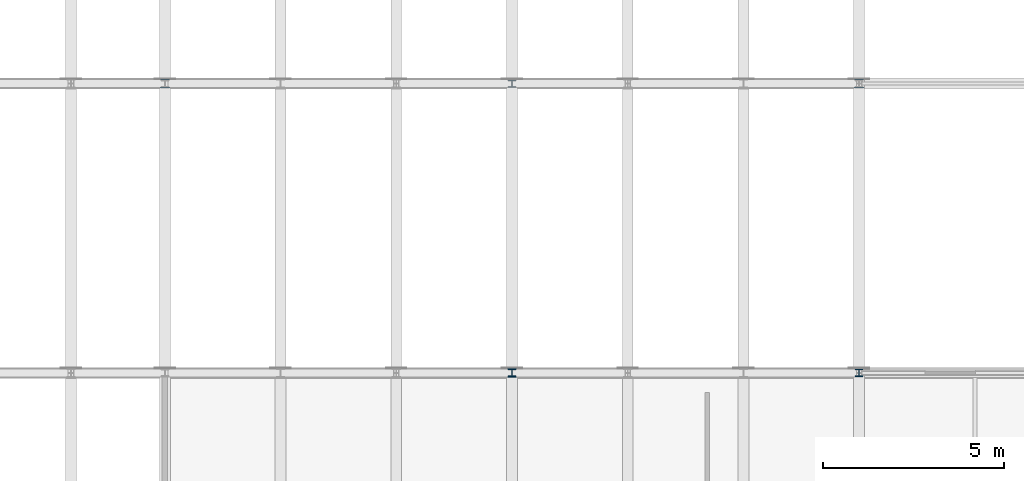
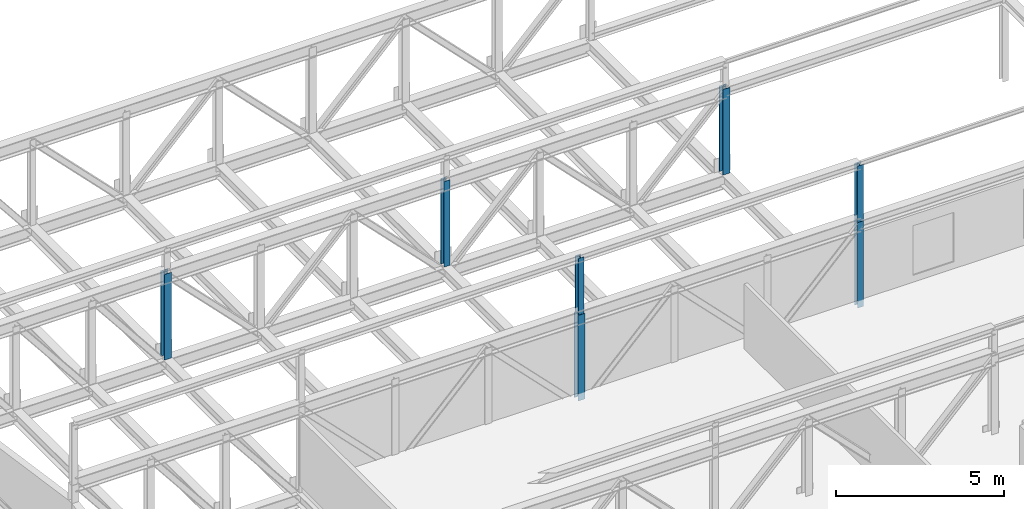
# One storey, part 5 of 34: 7 columns.
"""IFC4 building model written with IfcOpenShell, lengths in metres."""

from ifc_helpers import new_model, si_unit, direction, frame, origin, origin_2d, place, context, subcontext, project, spatial, i_section, extrude, material, material_profile, profile_set, type_object, element, save


model = new_model("IFC4")

# Units and contexts
model_context = context("Model", 3, precision=1e-05, world=origin(), true_north=direction((0.0, 1.0)))
body_context = subcontext(model_context, "Body", "Model", "MODEL_VIEW")
ifc_project = project(units=[si_unit("LENGTHUNIT", "METRE"), si_unit("AREAUNIT", "SQUARE_METRE"), si_unit("VOLUMEUNIT", "CUBIC_METRE"), si_unit("PLANEANGLEUNIT", "RADIAN"), si_unit("MASSUNIT", "GRAM", prefix="KILO")], contexts=[model_context])

# Site, building, storey
site_placement = place(None, origin())
site = spatial("IfcSite", under=ifc_project, at=site_placement, CompositionType="ELEMENT")
building_placement = place(site_placement, origin())
building = spatial("IfcBuilding", under=site, at=building_placement, Name="Alderhovde Museum", CompositionType="ELEMENT")
storey_placement = place(building_placement, frame((0.0, 0.0, 25.800048828125)))
storey = spatial("IfcBuildingStorey", under=building, at=storey_placement, Name="L05", CompositionType="ELEMENT", Elevation=25.800048828125)

# Columns
ifc_material_1 = material(Name="Steel S355J2", Category="steel")
ifc_material_profile_1 = material_profile(ifc_material_1, i_section(OverallWidth=0.199951171875, OverallDepth=0.18994140625, WebThickness=0.006591796875, FlangeThickness=0.010009765625, FilletRadius=0.01806640625, at=origin_2d()), Name="HEA 200")
ifc_profile_set_1 = profile_set([ifc_material_profile_1], Name="Steel S355J2")
column_type_1 = type_object("IfcColumnType", Name="COL-HEA200", PredefinedType="COLUMN", material=ifc_profile_set_1)
for number, where, z_axis, x_axis, name in (
    (1, (19.199951171875, 96.0, 2.849853515625), (0.0, 0.0, 1.0), (1.0, 0.0, 0.0), "Vol 4 Roof Post X=19.2 Y=96"),
    (2, (28.800048828125, 96.0, 2.849853515625), (0.0, 0.0, 1.0), (1.0, 0.0, 0.0), "Vol 4 Roof Post X=28.8 Y=96"),
):
    element("IfcColumn", number, at=place(storey_placement, frame(where, z_axis=z_axis, x_axis=x_axis)), inside=storey, type_object=column_type_1, Name=name, PredefinedType="COLUMN", context=body_context, shape_type="SweptSolid", body=[
        extrude(i_section(OverallWidth=0.199951171875, OverallDepth=0.18994140625, WebThickness=0.006591796875, FlangeThickness=0.010009765625, FilletRadius=0.01806640625, at=origin_2d()), origin(), (0.0, 0.0, 1.0), 2.050048828125),
    ])
ifc_material_2 = material(Name="Steel S355J2", Category="steel")
ifc_material_profile_2 = material_profile(ifc_material_2, i_section(OverallWidth=0.239990234375, OverallDepth=0.22998046875, WebThickness=0.007568359375, FlangeThickness=0.011962890625, FilletRadius=0.02099609375, at=origin_2d()), Name="HEA 240")
ifc_profile_set_2 = profile_set([ifc_material_profile_2], Name="Steel S355J2")
column_type_2 = type_object("IfcColumnType", Name="COL-HEA240", PredefinedType="COLUMN", material=ifc_profile_set_2)
for number, where, z_axis, x_axis, name in (
    (3, (9.60009765625, 104.0, -0.260009765625), (0.0, 0.0, 1.0), (1.0, 0.0, 0.0), "L05 Column (9.6, 104.0)"),
    (4, (19.199951171875, 96.0, -0.260009765625), (0.0, 0.0, 1.0), (1.0, 0.0, 0.0), "L05 Column (19.2, 96.0)"),
    (5, (28.800048828125, 104.0, -0.260009765625), (0.0, 0.0, 1.0), (1.0, 0.0, 0.0), "L05 Column (28.8, 104.0)"),
):
    element("IfcColumn", number, at=place(storey_placement, frame(where, z_axis=z_axis, x_axis=x_axis)), inside=storey, type_object=column_type_2, Name=name, PredefinedType="COLUMN", context=body_context, shape_type="SweptSolid", body=[
        extrude(i_section(OverallWidth=0.239990234375, OverallDepth=0.22998046875, WebThickness=0.007568359375, FlangeThickness=0.011962890625, FilletRadius=0.02099609375, at=origin_2d()), origin(), (0.0, 0.0, 1.0), 3.10986328125),
    ])
ifc_material_3 = material(Name="Steel S355J2", Category="steel")
ifc_material_profile_3 = material_profile(ifc_material_3, i_section(OverallWidth=0.199951171875, OverallDepth=0.199951171875, WebThickness=0.009033203125, FlangeThickness=0.014892578125, FilletRadius=0.01806640625, at=origin_2d()), Name="HEB 200")
ifc_profile_set_3 = profile_set([ifc_material_profile_3], Name="Steel S355J2")
column_type_3 = type_object("IfcColumnType", Name="COL-HEB200", PredefinedType="COLUMN", material=ifc_profile_set_3)
for number, where, z_axis, x_axis, name in (
    (6, (19.199951171875, 104.0, -0.260009765625), (0.0, 0.0, 1.0), (1.0, 0.0, 0.0), "L05 Column (19.2, 104.0)"),
    (7, (28.800048828125, 96.0, -0.260009765625), (0.0, 0.0, 1.0), (1.0, 0.0, 0.0), "L05 Column (28.8, 96.0)"),
):
    element("IfcColumn", number, at=place(storey_placement, frame(where, z_axis=z_axis, x_axis=x_axis)), inside=storey, type_object=column_type_3, Name=name, PredefinedType="COLUMN", context=body_context, shape_type="SweptSolid", body=[
        extrude(i_section(OverallWidth=0.199951171875, OverallDepth=0.199951171875, WebThickness=0.009033203125, FlangeThickness=0.014892578125, FilletRadius=0.01806640625, at=origin_2d()), origin(), (0.0, 0.0, 1.0), 3.10986328125),
    ])

save(model, "model.ifc")
